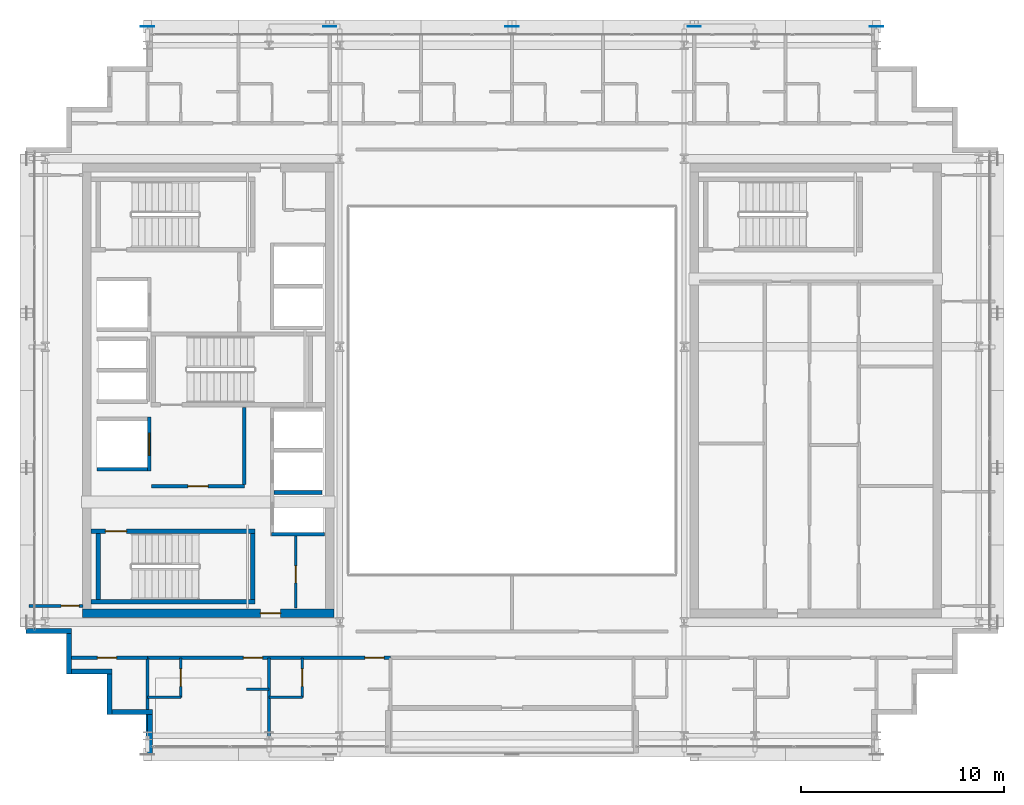
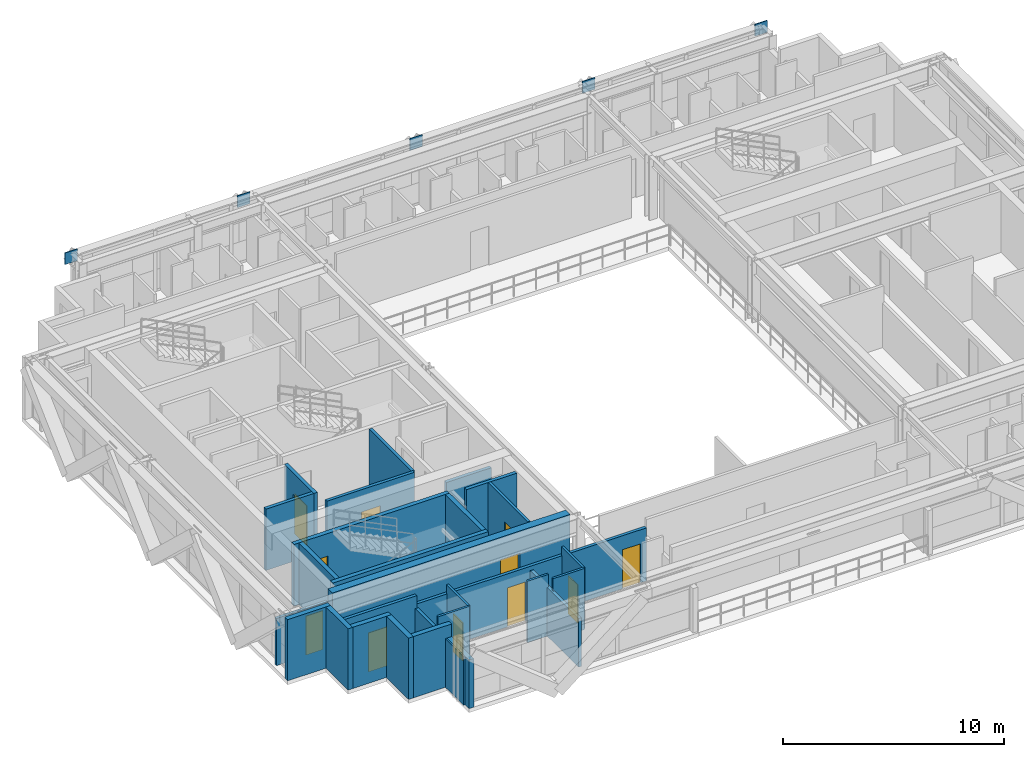
# One storey, part 19 of 28: 28 walls, 11 doors, 5 plates, 11 openings.
"""IFC4 building model written with IfcOpenShell, lengths in metres."""

from ifc_helpers import new_model, si_unit, direction, frame, frame_2d, origin, origin_2d, place, context, subcontext, project, spatial, rectangle, extrude, source, transform, mapped, material, layer, layer_set, type_object, element, fill, save


model = new_model("IFC4")

# Units and contexts
model_context = context("Model", 3, precision=1e-05, world=origin(), true_north=direction((0.0, 1.0)))
body_context = subcontext(model_context, "Body", "Model", "MODEL_VIEW")
ifc_project = project(units=[si_unit("LENGTHUNIT", "METRE"), si_unit("AREAUNIT", "SQUARE_METRE"), si_unit("VOLUMEUNIT", "CUBIC_METRE"), si_unit("PLANEANGLEUNIT", "RADIAN"), si_unit("MASSUNIT", "GRAM", prefix="KILO")], contexts=[model_context])

# Site, building, storey
site_placement = place(None, origin())
site = spatial("IfcSite", under=ifc_project, at=site_placement, CompositionType="ELEMENT")
building_placement = place(site_placement, origin())
building = spatial("IfcBuilding", under=site, at=building_placement, Name="Ocotamira Hotel", CompositionType="ELEMENT")
storey_placement = place(building_placement, frame((0.0, 0.0, 240.0)))
storey = spatial("IfcBuildingStorey", under=building, at=storey_placement, Name="L60", CompositionType="ELEMENT", Elevation=240.0)

# Plates
ifc_material_1 = material(Name="Pale-metal coated steel ASTM A572 Grade 50", Category="steel")
ifc_layer_1 = layer(ifc_material_1, 0.0400390625)
ifc_layer_set_1 = layer_set([ifc_layer_1], Name="Pale-metal coated steel ASTM A572 Grade 50")
plate_type = type_object("IfcPlateType", Name="PLT-GUSSET-40", PredefinedType="SHEET", material=ifc_layer_set_1)
shared_shape_1 = source(origin(), body_context, "Body", "SweptSolid", [
    extrude(rectangle(XDim=0.64990234375, YDim=0.0400390625, at=origin_2d()), origin(), (0.0, 0.0, 1.0), 0.64990234375),
])
for number, where, z_axis, x_axis, name in (
    (1, (14.0, 43.969970703125, 2.804931640625), (0.0, 0.0, 1.0), (-1.0, 0.0, 0.0), "L60 Exoskeleton Diagrid N0.1 End Gusset B"),
    (2, (23.0, 43.969970703125, 2.804931640625), (0.0, 0.0, 1.0), (1.0, 0.0, 0.0), "L60 Exoskeleton Diagrid N0.2 End Gusset B"),
    (3, (32.0, 43.969970703125, 2.804931640625), (0.0, 0.0, 1.0), (1.0, 0.0, 0.0), "L60 Exoskeleton Diagrid N1.2 End Gusset B"),
    (4, (41.0, 43.969970703125, 2.804931640625), (0.0, 0.0, 1.0), (1.0, 0.0, 0.0), "L60 Exoskeleton Diagrid N2.2 End Gusset B"),
    (5, (50.0, 43.969970703125, 2.804931640625), (0.0, 0.0, 1.0), (1.0, 0.0, 0.0), "L60 Exoskeleton Diagrid N3.2 End Gusset B"),
):
    element("IfcPlate", number, at=place(storey_placement, frame(where, z_axis=z_axis, x_axis=x_axis)), inside=storey, type_object=plate_type, Name=name, PredefinedType="SHEET", context=body_context, shape_type="MappedRepresentation", body=[
        mapped(shared_shape_1, transform((0.0, 0.0, 0.0), scale=1.0)),
    ])

# Wall, opening, door
ifc_material_2 = material(Name="Concrete C50/60", Category="concrete")
ifc_layer_2 = layer(ifc_material_2, 0.39990234375)
ifc_layer_set_2 = layer_set([ifc_layer_2], Name="Concrete C50/60")
wall_type_1 = type_object("IfcWallType", Name="WL-CORE-400", PredefinedType="SHEAR", material=ifc_layer_set_2)
wall_1_placement = place(storey_placement, frame((10.800048828125, 15.0, 0.0), z_axis=(0.0, 0.0, 1.0), x_axis=(1.0, 0.0, 0.0)))
wall_1 = element("IfcWall", 6, at=wall_1_placement, inside=storey, type_object=wall_type_1, Name="L60 Shear Core Wall WCORE-S", PredefinedType="SHEAR", context=body_context, shape_type="SweptSolid", body=[
    extrude(rectangle(XDim=12.39990234375, YDim=0.39990234375, at=frame_2d((6.199951171875, 0.0))), origin(), (0.0, 0.0, 1.0), 3.3798828125),
])
opening_1_placement = place(wall_1_placement, frame((8.780029296875, 0.0, 0.0)))
opening_1 = element("IfcOpeningElement", 7, at=opening_1_placement, cuts=wall_1, Name="Opening D-FR2", PredefinedType="OPENING", context=body_context, shape_type="SweptSolid", body=[
    extrude(rectangle(XDim=1.0, YDim=2.14990234375, at=frame_2d((0.5, 1.074951171875))), frame((0.0, 0.2099609375, 0.0), z_axis=(0.0, -1.0, 0.0), x_axis=(1.0, 0.0, 0.0)), (0.0, 0.0, 1.0), 0.419921875),
])
ifc_material_3 = material(Name="Fire-rated acoustic timber-veneer door", Category="wood")
door_type_1 = type_object("IfcDoorType", Name="DR-FIRE-1000", OperationType="NOTDEFINED", PredefinedType="DOOR", material=ifc_material_3)
shared_shape_2 = source(origin(), body_context, "Body", "SweptSolid", [
    extrude(rectangle(XDim=1.0, YDim=2.14990234375, at=frame_2d((0.5, 1.074951171875))), frame((0.0, 0.02490234375, 0.0), z_axis=(0.0, -1.0, 0.0), x_axis=(1.0, 0.0, 0.0)), (0.0, 0.0, 1.0), 0.050048828125),
])
door_1_placement = place(opening_1_placement, origin())
door_1 = element("IfcDoor", 8, at=door_1_placement, inside=storey, type_object=door_type_1, Name="L60 Door ID-L60-WLOB-S-D [ID-L60-WLOB-S-D]", OperationType="SINGLE_SWING_LEFT", OverallHeight=2.14990234375, OverallWidth=1.0, PredefinedType="DOOR", context=body_context, shape_type="MappedRepresentation", body=[
    mapped(shared_shape_2, transform((0.0, 0.0, 0.0), scale=1.0)),
])
fill(opening_1, door_1)

# Walls
ifc_material_4 = material(Name="Precast concrete C45/55", Category="concrete")
ifc_layer_3 = layer(ifc_material_4, 0.25)
ifc_layer_set_3 = layer_set([ifc_layer_3], Name="Precast concrete C45/55")
wall_type_2 = type_object("IfcWallType", Name="WL-EXT-SER-250", PredefinedType="SOLIDWALL", material=ifc_layer_set_3)
wall_2_placement = place(storey_placement, frame((8.0, 14.125, 0.0), z_axis=(0.0, 0.0, 1.0), x_axis=(1.0, 0.0, 0.0)))
element("IfcWall", 9, at=wall_2_placement, inside=storey, type_object=wall_type_2, Name="L60 Serrated Corner Wall 19", PredefinedType="SOLIDWALL", context=body_context, shape_type="SweptSolid", body=[
    extrude(rectangle(XDim=2.25, YDim=0.25, at=frame_2d((1.125, 0.0))), origin(), (0.0, 0.0, 1.0), 3.3798828125),
])
for number, where, z_axis, x_axis, name in (
    (10, (10.125, 14.0, 0.0), (0.0, 0.0, 1.0), (0.0, -1.0, 0.0), "L60 Serrated Corner Wall 20"),
    (11, (10.25, 12.125, 0.0), (0.0, 0.0, 1.0), (1.0, 0.0, 0.0), "L60 Serrated Corner Wall 21"),
    (12, (12.125, 12.0, 0.0), (0.0, 0.0, 1.0), (0.0, -1.0, 0.0), "L60 Serrated Corner Wall 22"),
    (13, (12.25, 10.125, 0.0), (0.0, 0.0, 1.0), (1.0, 0.0, 0.0), "L60 Serrated Corner Wall 23"),
):
    element("IfcWall", number, at=place(storey_placement, frame(where, z_axis=z_axis, x_axis=x_axis)), inside=storey, type_object=wall_type_2, Name=name, PredefinedType="SOLIDWALL", context=body_context, shape_type="SweptSolid", body=[
        extrude(rectangle(XDim=2.0, YDim=0.25, at=frame_2d((1.0, 0.0))), origin(), (0.0, 0.0, 1.0), 3.3798828125),
    ])
wall_3_placement = place(storey_placement, frame((14.125, 10.0, 0.0), z_axis=(0.0, 0.0, 1.0), x_axis=(0.0, -1.0, 0.0)))
element("IfcWall", 14, at=wall_3_placement, inside=storey, type_object=wall_type_2, Name="L60 Serrated Corner Wall 24", PredefinedType="SOLIDWALL", context=body_context, shape_type="SweptSolid", body=[
    extrude(rectangle(XDim=2.0, YDim=0.25, at=frame_2d((1.0, 0.0))), origin(), (0.0, 0.0, 1.0), 2.68701171875),
])

# Wall, opening, door
ifc_material_5 = material(Name="Acoustic double-layer fire gypsum board partition", Category="gypsum")
ifc_layer_4 = layer(ifc_material_5, 0.159912109375)
ifc_layer_set_4 = layer_set([ifc_layer_4], Name="Acoustic double-layer fire gypsum board partition")
wall_type_3 = type_object("IfcWallType", Name="WL-FIRE-160", PredefinedType="PARTITIONING", material=ifc_layer_set_4)
wall_4_placement = place(storey_placement, frame((14.199951171875, 21.27001953125, 0.0), z_axis=(0.0, 0.0, 1.0), x_axis=(1.0, 0.0, 0.0)))
wall_4 = element("IfcWall", 15, at=wall_4_placement, inside=storey, type_object=wall_type_3, Name="L60 Interior Wall PW-L60-FSAE1-S", PredefinedType="PARTITIONING", context=body_context, shape_type="SweptSolid", body=[
    extrude(rectangle(XDim=4.580078125, YDim=0.159912109375, at=frame_2d((2.2900390625, 0.0))), origin(), (0.0, 0.0, 1.0), 3.3798828125),
])
opening_2_placement = place(wall_4_placement, frame((1.800048828125, 0.0, 0.0)))
opening_2 = element("IfcOpeningElement", 16, at=opening_2_placement, cuts=wall_4, Name="Opening D-FR2", PredefinedType="OPENING", context=body_context, shape_type="SweptSolid", body=[
    extrude(rectangle(XDim=1.0, YDim=2.14990234375, at=frame_2d((0.5, 1.074951171875))), frame((0.0, 0.08984375, 0.0), z_axis=(0.0, -1.0, 0.0), x_axis=(1.0, 0.0, 0.0)), (0.0, 0.0, 1.0), 0.179931640625),
])
door_2_placement = place(opening_2_placement, origin())
door_2 = element("IfcDoor", 17, at=door_2_placement, inside=storey, type_object=door_type_1, Name="L60 Door ID-L60-FSAE1-D [ID-L60-FSAE1-D]", OperationType="SINGLE_SWING_LEFT", OverallHeight=2.14990234375, OverallWidth=1.0, PredefinedType="DOOR", context=body_context, shape_type="MappedRepresentation", body=[
    mapped(shared_shape_2, transform((0.0, 0.0, 0.0), scale=1.0)),
])
fill(opening_2, door_2)

# Wall
wall_5_placement = place(storey_placement, frame((18.780029296875, 21.35009765625, 0.0), z_axis=(0.0, 0.0, 1.0), x_axis=(0.0, 1.0, 0.0)))
element("IfcWall", 18, at=wall_5_placement, inside=storey, type_object=wall_type_3, Name="L60 Interior Wall PW-L60-FSAE1-E", PredefinedType="PARTITIONING", context=body_context, shape_type="SweptSolid", body=[
    extrude(rectangle(XDim=3.809814453125, YDim=0.159912109375, at=frame_2d((1.90478515625, 0.0))), origin(), (0.0, 0.0, 1.0), 3.3798828125),
])

# Wall, openings, doors
wall_6_placement = place(storey_placement, frame((14.0, 12.800048828125, 0.0), z_axis=(0.0, 0.0, 1.0), x_axis=(1.0, 0.0, 0.0)))
wall_6 = element("IfcWall", 19, at=wall_6_placement, inside=storey, type_object=wall_type_3, Name="L60 Interior Wall PW-L60-Z4BSW-CORRW", PredefinedType="PARTITIONING", context=body_context, shape_type="SweptSolid", body=[
    extrude(rectangle(XDim=12.0, YDim=0.159912109375, at=frame_2d((6.0, 0.0))), origin(), (0.0, 0.0, 1.0), 2.923095703125),
])
opening_3_placement = place(wall_6_placement, frame((4.739990234375, 0.0, 0.0)))
opening_3 = element("IfcOpeningElement", 20, at=opening_3_placement, cuts=wall_6, Name="Opening D-GR1", PredefinedType="OPENING", context=body_context, shape_type="SweptSolid", body=[
    extrude(rectangle(XDim=0.93994140625, YDim=2.14990234375, at=frame_2d((0.469970703125, 1.074951171875))), frame((0.0, 0.08984375, 0.0), z_axis=(0.0, -1.0, 0.0), x_axis=(1.0, 0.0, 0.0)), (0.0, 0.0, 1.0), 0.179931640625),
])
opening_4_placement = place(wall_6_placement, frame((10.739990234375, 0.0, 0.0)))
opening_4 = element("IfcOpeningElement", 21, at=opening_4_placement, cuts=wall_6, Name="Opening D-GR1", PredefinedType="OPENING", context=body_context, shape_type="SweptSolid", body=[
    extrude(rectangle(XDim=0.93994140625, YDim=2.14990234375, at=frame_2d((0.469970703125, 1.074951171875))), frame((0.0, 0.08984375, 0.0), z_axis=(0.0, -1.0, 0.0), x_axis=(1.0, 0.0, 0.0)), (0.0, 0.0, 1.0), 0.179931640625),
])
ifc_material_6 = material(Name="Solid-core walnut suite entrance fire door", Category="wood")
door_type_2 = type_object("IfcDoorType", Name="DR-GUEST-940", OperationType="NOTDEFINED", PredefinedType="DOOR", material=ifc_material_6)
shared_shape_3 = source(origin(), body_context, "Body", "SweptSolid", [
    extrude(rectangle(XDim=0.93994140625, YDim=2.14990234375, at=frame_2d((0.469970703125, 1.074951171875))), frame((0.0, 0.02490234375, 0.0), z_axis=(0.0, -1.0, 0.0), x_axis=(1.0, 0.0, 0.0)), (0.0, 0.0, 1.0), 0.050048828125),
])
door_3_placement = place(opening_3_placement, origin())
door_3 = element("IfcDoor", 22, at=door_3_placement, inside=storey, type_object=door_type_2, Name="L60 Door ID-L60-Z4BSW-RMD1 [ID-L60-Z4BSW-RMD1]", OperationType="SINGLE_SWING_LEFT", OverallHeight=2.14990234375, OverallWidth=0.93994140625, PredefinedType="DOOR", context=body_context, shape_type="MappedRepresentation", body=[
    mapped(shared_shape_3, transform((0.0, 0.0, 0.0), scale=1.0)),
])
fill(opening_3, door_3)
door_4_placement = place(opening_4_placement, origin())
door_4 = element("IfcDoor", 23, at=door_4_placement, inside=storey, type_object=door_type_2, Name="L60 Door ID-L60-Z4BSW-RMD2 [ID-L60-Z4BSW-RMD2]", OperationType="SINGLE_SWING_RIGHT", OverallHeight=2.14990234375, OverallWidth=0.93994140625, PredefinedType="DOOR", context=body_context, shape_type="MappedRepresentation", body=[
    mapped(shared_shape_3, transform((0.0, 0.0, 0.0), scale=1.0)),
])
fill(opening_4, door_4)

# Wall, opening, door
wall_7_placement = place(storey_placement, frame((10.0, 12.800048828125, 0.0), z_axis=(0.0, 0.0, 1.0), x_axis=(1.0, 0.0, 0.0)))
wall_7 = element("IfcWall", 24, at=wall_7_placement, inside=storey, type_object=wall_type_3, Name="L60 Interior Wall PW-L60-Z4CSW-CW", PredefinedType="PARTITIONING", context=body_context, shape_type="SweptSolid", body=[
    extrude(rectangle(XDim=4.0, YDim=0.159912109375, at=frame_2d((2.0, 0.0))), origin(), (0.0, 0.0, 1.0), 3.3798828125),
])
opening_5_placement = place(wall_7_placement, frame((1.52001953125, 0.0, 0.0)))
opening_5 = element("IfcOpeningElement", 25, at=opening_5_placement, cuts=wall_7, Name="Opening D-SV4", PredefinedType="OPENING", context=body_context, shape_type="SweptSolid", body=[
    extrude(rectangle(XDim=0.9599609375, YDim=2.14990234375, at=frame_2d((0.47998046875, 1.074951171875))), frame((0.0, 0.08984375, 0.0), z_axis=(0.0, -1.0, 0.0), x_axis=(1.0, 0.0, 0.0)), (0.0, 0.0, 1.0), 0.179931640625),
])
ifc_material_7 = material(Name="Fire-rated accessible walnut salon door", Category="wood")
door_type_3 = type_object("IfcDoorType", Name="DR-SERV-960", OperationType="NOTDEFINED", PredefinedType="DOOR", material=ifc_material_7)
shared_shape_4 = source(origin(), body_context, "Body", "SweptSolid", [
    extrude(rectangle(XDim=0.9599609375, YDim=2.14990234375, at=frame_2d((0.47998046875, 1.074951171875))), frame((0.0, 0.02490234375, 0.0), z_axis=(0.0, -1.0, 0.0), x_axis=(1.0, 0.0, 0.0)), (0.0, 0.0, 1.0), 0.050048828125),
])
door_5_placement = place(opening_5_placement, origin())
door_5 = element("IfcDoor", 26, at=door_5_placement, inside=storey, type_object=door_type_3, Name="L60 Door ID-L60-Z4CSW-CD [ID-L60-Z4CSW-CD]", OperationType="SINGLE_SWING_LEFT", OverallHeight=2.14990234375, OverallWidth=0.9599609375, PredefinedType="DOOR", context=body_context, shape_type="MappedRepresentation", body=[
    mapped(shared_shape_4, transform((0.0, 0.0, 0.0), scale=1.0)),
])
fill(opening_5, door_5)

ifc_material_8 = material(Name="Moisture-resistant en-suite tile and gypsum partition", Category="gypsum")
ifc_layer_5 = layer(ifc_material_8, 0.1201171875)
ifc_layer_set_5 = layer_set([ifc_layer_5], Name="Moisture-resistant en-suite tile and gypsum partition")
wall_type_4 = type_object("IfcWallType", Name="WL-PART-120", PredefinedType="PARTITIONING", material=ifc_layer_set_5)
wall_8_placement = place(storey_placement, frame((15.64990234375, 10.85009765625, 0.0), z_axis=(0.0, 0.0, 1.0), x_axis=(0.0, 1.0, 0.0)))
wall_8 = element("IfcWall", 27, at=wall_8_placement, inside=storey, type_object=wall_type_4, Name="L60 Interior Wall PW-L60-Z4BSW-BAE1", PredefinedType="PARTITIONING", context=body_context, shape_type="SweptSolid", body=[
    extrude(rectangle(XDim=1.949951171875, YDim=0.1201171875, at=frame_2d((0.97509765625, 0.0))), origin(), (0.0, 0.0, 1.0), 3.3798828125),
])
opening_6_placement = place(wall_8_placement, frame((0.544921875, 0.0, 0.0)))
opening_6 = element("IfcOpeningElement", 28, at=opening_6_placement, cuts=wall_8, Name="Opening D-BA1", PredefinedType="OPENING", context=body_context, shape_type="SweptSolid", body=[
    extrude(rectangle(XDim=0.860107421875, YDim=2.10009765625, at=frame_2d((0.43017578125, 1.050048828125))), frame((0.0, 0.070068359375, 0.0), z_axis=(0.0, -1.0, 0.0), x_axis=(1.0, 0.0, 0.0)), (0.0, 0.0, 1.0), 0.14013671875),
])
ifc_material_9 = material(Name="Moisture-sealed en-suite timber door", Category="wood")
door_type_4 = type_object("IfcDoorType", Name="DR-BATH-860", OperationType="NOTDEFINED", PredefinedType="DOOR", material=ifc_material_9)
shared_shape_5 = source(origin(), body_context, "Body", "SweptSolid", [
    extrude(rectangle(XDim=0.860107421875, YDim=2.10009765625, at=frame_2d((0.43017578125, 1.050048828125))), frame((0.0, 0.02490234375, 0.0), z_axis=(0.0, -1.0, 0.0), x_axis=(1.0, 0.0, 0.0)), (0.0, 0.0, 1.0), 0.050048828125),
])
door_6_placement = place(opening_6_placement, origin())
door_6 = element("IfcDoor", 29, at=door_6_placement, inside=storey, type_object=door_type_4, Name="L60 Door ID-L60-Z4BSW-BAD1 [ID-L60-Z4BSW-BAD1]", OperationType="SINGLE_SWING_RIGHT", OverallHeight=2.10009765625, OverallWidth=0.860107421875, PredefinedType="DOOR", context=body_context, shape_type="MappedRepresentation", body=[
    mapped(shared_shape_5, transform((0.0, 0.0, 0.0), scale=1.0)),
])
fill(opening_6, door_6)

# Walls
wall_9_placement = place(storey_placement, frame((14.0, 10.85009765625, 0.0), z_axis=(0.0, 0.0, 1.0), x_axis=(1.0, 0.0, 0.0)))
element("IfcWall", 30, at=wall_9_placement, inside=storey, type_object=wall_type_4, Name="L60 Interior Wall PW-L60-Z4BSW-BAS1", PredefinedType="PARTITIONING", context=body_context, shape_type="SweptSolid", body=[
    extrude(rectangle(XDim=1.64990234375, YDim=0.1201171875, at=frame_2d((0.824951171875, 0.0))), origin(), (0.0, 0.0, 1.0), 3.3798828125),
])
wall_10_placement = place(storey_placement, frame((18.89990234375, 11.25, 0.0), z_axis=(0.0, 0.0, 1.0), x_axis=(1.0, 0.0, 0.0)))
element("IfcWall", 31, at=wall_10_placement, inside=storey, type_object=wall_type_4, Name="L60 Interior Wall PW-L60-Z4BSW-DRN1", PredefinedType="PARTITIONING", context=body_context, shape_type="SweptSolid", body=[
    extrude(rectangle(XDim=1.10009765625, YDim=0.1201171875, at=frame_2d((0.550048828125, 0.0))), origin(), (0.0, 0.0, 1.0), 3.3798828125),
])

# Wall, opening, door
wall_11_placement = place(storey_placement, frame((21.64990234375, 10.85009765625, 0.0), z_axis=(0.0, 0.0, 1.0), x_axis=(0.0, 1.0, 0.0)))
wall_11 = element("IfcWall", 32, at=wall_11_placement, inside=storey, type_object=wall_type_4, Name="L60 Interior Wall PW-L60-Z4BSW-BAE2", PredefinedType="PARTITIONING", context=body_context, shape_type="SweptSolid", body=[
    extrude(rectangle(XDim=1.949951171875, YDim=0.1201171875, at=frame_2d((0.97509765625, 0.0))), origin(), (0.0, 0.0, 1.0), 3.3798828125),
])
opening_7_placement = place(wall_11_placement, frame((0.544921875, 0.0, 0.0)))
opening_7 = element("IfcOpeningElement", 33, at=opening_7_placement, cuts=wall_11, Name="Opening D-BA1", PredefinedType="OPENING", context=body_context, shape_type="SweptSolid", body=[
    extrude(rectangle(XDim=0.860107421875, YDim=2.10009765625, at=frame_2d((0.43017578125, 1.050048828125))), frame((0.0, 0.070068359375, 0.0), z_axis=(0.0, -1.0, 0.0), x_axis=(1.0, 0.0, 0.0)), (0.0, 0.0, 1.0), 0.14013671875),
])
door_7_placement = place(opening_7_placement, origin())
door_7 = element("IfcDoor", 34, at=door_7_placement, inside=storey, type_object=door_type_4, Name="L60 Door ID-L60-Z4BSW-BAD2 [ID-L60-Z4BSW-BAD2]", OperationType="SINGLE_SWING_LEFT", OverallHeight=2.10009765625, OverallWidth=0.860107421875, PredefinedType="DOOR", context=body_context, shape_type="MappedRepresentation", body=[
    mapped(shared_shape_5, transform((0.0, 0.0, 0.0), scale=1.0)),
])
fill(opening_7, door_7)

# Wall
wall_12_placement = place(storey_placement, frame((20.0, 10.85009765625, 0.0), z_axis=(0.0, 0.0, 1.0), x_axis=(1.0, 0.0, 0.0)))
element("IfcWall", 35, at=wall_12_placement, inside=storey, type_object=wall_type_4, Name="L60 Interior Wall PW-L60-Z4BSW-BAS2", PredefinedType="PARTITIONING", context=body_context, shape_type="SweptSolid", body=[
    extrude(rectangle(XDim=1.64990234375, YDim=0.1201171875, at=frame_2d((0.824951171875, 0.0))), origin(), (0.0, 0.0, 1.0), 3.3798828125),
])

# Wall, opening, door
ifc_material_10 = material(Name="Acoustic hospitality gypsum board partition", Category="gypsum")
ifc_layer_6 = layer(ifc_material_10, 0.14208984375)
ifc_layer_set_6 = layer_set([ifc_layer_6], Name="Acoustic hospitality gypsum board partition")
wall_type_5 = type_object("IfcWallType", Name="WL-PART-142", PredefinedType="PARTITIONING", material=ifc_layer_set_6)
wall_13_placement = place(storey_placement, frame((21.320068359375, 15.25, 0.0), z_axis=(0.0, 0.0, 1.0), x_axis=(0.0, 1.0, 0.0)))
wall_13 = element("IfcWall", 36, at=wall_13_placement, inside=storey, type_object=wall_type_5, Name="L60 Interior Wall PW-L60-WC-SE-W", PredefinedType="PARTITIONING", context=body_context, shape_type="SweptSolid", body=[
    extrude(rectangle(XDim=3.590087890625, YDim=0.14208984375, at=frame_2d((1.794921875, 0.0))), origin(), (0.0, 0.0, 1.0), 3.3798828125),
])
opening_8_placement = place(wall_13_placement, frame((1.25, 0.0, 0.0)))
opening_8 = element("IfcOpeningElement", 37, at=opening_8_placement, cuts=wall_13, Name="Opening D-SV1", PredefinedType="OPENING", context=body_context, shape_type="SweptSolid", body=[
    extrude(rectangle(XDim=0.840087890625, YDim=2.10009765625, at=frame_2d((0.419921875, 1.050048828125))), frame((0.0, 0.0810546875, 0.0), z_axis=(0.0, -1.0, 0.0), x_axis=(1.0, 0.0, 0.0)), (0.0, 0.0, 1.0), 0.162109375),
])
ifc_material_11 = material(Name="Fire-rated painted steel service door", Category="steel")
door_type_5 = type_object("IfcDoorType", Name="DR-SERV-840", OperationType="NOTDEFINED", PredefinedType="DOOR", material=ifc_material_11)
shared_shape_6 = source(origin(), body_context, "Body", "SweptSolid", [
    extrude(rectangle(XDim=0.840087890625, YDim=2.10009765625, at=frame_2d((0.419921875, 1.050048828125))), frame((0.0, 0.02490234375, 0.0), z_axis=(0.0, -1.0, 0.0), x_axis=(1.0, 0.0, 0.0)), (0.0, 0.0, 1.0), 0.050048828125),
])
door_8_placement = place(opening_8_placement, origin())
door_8 = element("IfcDoor", 38, at=door_8_placement, inside=storey, type_object=door_type_5, Name="L60 Door ID-L60-WC-SE-D [ID-L60-WC-SE-D]", OperationType="SINGLE_SWING_RIGHT", OverallHeight=2.10009765625, OverallWidth=0.840087890625, PredefinedType="DOOR", context=body_context, shape_type="MappedRepresentation", body=[
    mapped(shared_shape_6, transform((0.0, 0.0, 0.0), scale=1.0)),
])
fill(opening_8, door_8)

ifc_layer_7 = layer(ifc_material_10, 0.14990234375)
ifc_layer_set_7 = layer_set([ifc_layer_7], Name="Acoustic hospitality gypsum board partition")
wall_type_6 = type_object("IfcWallType", Name="WL-PART-150", PredefinedType="PARTITIONING", material=ifc_layer_set_7)
wall_14_placement = place(storey_placement, frame((8.159912109375, 15.360107421875, 0.0), z_axis=(0.0, 0.0, 1.0), x_axis=(1.0, 0.0, 0.0)))
wall_14 = element("IfcWall", 39, at=wall_14_placement, inside=storey, type_object=wall_type_6, Name="L60 Interior Wall PW-L60-Z4BW-WS", PredefinedType="PARTITIONING", context=body_context, shape_type="SweptSolid", body=[
    extrude(rectangle(XDim=2.66015625, YDim=0.14990234375, at=frame_2d((1.330078125, 0.0))), origin(), (0.0, 0.0, 1.0), 2.60107421875),
])
opening_9_placement = place(wall_14_placement, frame((1.580078125, 0.0, 0.0)))
opening_9 = element("IfcOpeningElement", 40, at=opening_9_placement, cuts=wall_14, Name="Opening D-SV2", PredefinedType="OPENING", context=body_context, shape_type="SweptSolid", body=[
    extrude(rectangle(XDim=0.8798828125, YDim=2.14990234375, at=frame_2d((0.43994140625, 1.074951171875))), frame((0.0, 0.0849609375, 0.0), z_axis=(0.0, -1.0, 0.0), x_axis=(1.0, 0.0, 0.0)), (0.0, 0.0, 1.0), 0.169921875),
])
door_type_6 = type_object("IfcDoorType", Name="DR-SERV-880", OperationType="NOTDEFINED", PredefinedType="DOOR", material=ifc_material_11)
shared_shape_7 = source(origin(), body_context, "Body", "SweptSolid", [
    extrude(rectangle(XDim=0.8798828125, YDim=2.14990234375, at=frame_2d((0.43994140625, 1.074951171875))), frame((0.0, 0.02490234375, 0.0), z_axis=(0.0, -1.0, 0.0), x_axis=(1.0, 0.0, 0.0)), (0.0, 0.0, 1.0), 0.050048828125),
])
door_9_placement = place(opening_9_placement, origin())
door_9 = element("IfcDoor", 41, at=door_9_placement, inside=storey, type_object=door_type_6, Name="L60 Door ID-L60-Z4BW-DS [ID-L60-Z4BW-DS]", OperationType="SINGLE_SWING_LEFT", OverallHeight=2.14990234375, OverallWidth=0.8798828125, PredefinedType="DOOR", context=body_context, shape_type="MappedRepresentation", body=[
    mapped(shared_shape_7, transform((0.0, 0.0, 0.0), scale=1.0)),
])
fill(opening_9, door_9)

# Walls
ifc_material_12 = material(Name="Acoustic double-stud hospitality gypsum partition", Category="gypsum")
ifc_layer_8 = layer(ifc_material_12, 0.159912109375)
ifc_layer_set_8 = layer_set([ifc_layer_8], Name="Acoustic double-stud hospitality gypsum partition")
wall_type_7 = type_object("IfcWallType", Name="WL-PART-160", PredefinedType="PARTITIONING", material=ifc_layer_set_8)
for number, where, z_axis, x_axis, name in (
    (42, (14.0, 8.360107421875, 0.0), (0.0, 0.0, 1.0), (0.0, 1.0, 0.0), "L60 Interior Wall PW-L60-Z4BSW-PW0"),
    (43, (20.0, 8.360107421875, 0.0), (0.0, 0.0, 1.0), (0.0, 1.0, 0.0), "L60 Interior Wall PW-L60-Z4BSW-PW1"),
):
    element("IfcWall", number, at=place(storey_placement, frame(where, z_axis=z_axis, x_axis=x_axis)), inside=storey, type_object=wall_type_7, Name=name, PredefinedType="PARTITIONING", context=body_context, shape_type="SweptSolid", body=[
        extrude(rectangle(XDim=4.43994140625, YDim=0.159912109375, at=frame_2d((2.219970703125, 0.0))), origin(), (0.0, 0.0, 1.0), 2.68701171875),
    ])
ifc_material_13 = material(Name="Fire-rated gypsum shaftliner board assembly", Category="gypsum")
ifc_layer_9 = layer(ifc_material_13, 0.179931640625)
ifc_layer_set_9 = layer_set([ifc_layer_9], Name="Fire-rated gypsum shaftliner board assembly")
wall_type_8 = type_object("IfcWallType", Name="WL-SHAFT-180", PredefinedType="SOLIDWALL", material=ifc_layer_set_9)
wall_15_placement = place(storey_placement, frame((20.1201171875, 18.909912109375, 0.0), z_axis=(0.0, 0.0, 1.0), x_axis=(1.0, 0.0, 0.0)))
element("IfcWall", 44, at=wall_15_placement, inside=storey, type_object=wall_type_8, Name="L60 Interior Wall PW-L60-LFW-BANK-high-S", PredefinedType="SOLIDWALL", context=body_context, shape_type="SweptSolid", body=[
    extrude(rectangle(XDim=2.6298828125, YDim=0.179931640625, at=frame_2d((1.31494140625, 0.0))), origin(), (0.0, 0.0, 1.0), 3.3798828125),
])
wall_16_placement = place(storey_placement, frame((20.25, 20.965087890625, 0.0), z_axis=(0.0, 0.0, 1.0), x_axis=(1.0, 0.0, 0.0)))
element("IfcWall", 45, at=wall_16_placement, inside=storey, type_object=wall_type_8, Name="L60 Interior Wall PW-L60-LFW-DIV-LF-P7", PredefinedType="SOLIDWALL", context=body_context, shape_type="SweptSolid", body=[
    extrude(rectangle(XDim=2.360107421875, YDim=0.179931640625, at=frame_2d((1.18017578125, 0.0))), origin(), (0.0, 0.0, 1.0), 2.47998046875),
])
wall_17_placement = place(storey_placement, frame((11.5, 22.110107421875, 0.0), z_axis=(0.0, 0.0, 1.0), x_axis=(1.0, 0.0, 0.0)))
element("IfcWall", 46, at=wall_17_placement, inside=storey, type_object=wall_type_8, Name="L60 Interior Wall PW-L60-LFW-LF-FSAE1-S", PredefinedType="SOLIDWALL", context=body_context, shape_type="SweptSolid", body=[
    extrude(rectangle(XDim=2.5, YDim=0.179931640625, at=frame_2d((1.25, 0.0))), origin(), (0.0, 0.0, 1.0), 3.3798828125),
])

# Wall, opening, door
wall_18_placement = place(storey_placement, frame((14.090087890625, 22.02001953125, 0.0), z_axis=(0.0, 0.0, 1.0), x_axis=(0.0, 1.0, 0.0)))
wall_18 = element("IfcWall", 47, at=wall_18_placement, inside=storey, type_object=wall_type_8, Name="L60 Interior Wall PW-L60-LFW-LF-FSAE1-E", PredefinedType="SOLIDWALL", context=body_context, shape_type="SweptSolid", body=[
    extrude(rectangle(XDim=2.659912109375, YDim=0.179931640625, at=frame_2d((1.330078125, 0.0))), origin(), (0.0, 0.0, 1.0), 3.3798828125),
])
opening_10_placement = place(wall_18_placement, frame((0.780029296875, 0.0, 0.0)))
opening_10 = element("IfcOpeningElement", 48, at=opening_10_placement, cuts=wall_18, Name="Opening LD-LF-FSAE1", PredefinedType="OPENING", context=body_context, shape_type="SweptSolid", body=[
    extrude(rectangle(XDim=1.10009765625, YDim=2.199951171875, at=frame_2d((0.550048828125, 1.10009765625))), frame((0.0, 0.10009765625, 0.0), z_axis=(0.0, -1.0, 0.0), x_axis=(1.0, 0.0, 0.0)), (0.0, 0.0, 1.0), 0.199951171875),
])
ifc_material_14 = material(Name="Brushed pale-metal stainless elevator landing door", Category="steel")
door_type_7 = type_object("IfcDoorType", Name="DR-LIFT-1100", OperationType="NOTDEFINED", PredefinedType="DOOR", material=ifc_material_14)
shared_shape_8 = source(origin(), body_context, "Body", "SweptSolid", [
    extrude(rectangle(XDim=1.10009765625, YDim=2.199951171875, at=frame_2d((0.550048828125, 1.10009765625))), frame((0.0, 0.02490234375, 0.0), z_axis=(0.0, -1.0, 0.0), x_axis=(1.0, 0.0, 0.0)), (0.0, 0.0, 1.0), 0.050048828125),
])
door_10_placement = place(opening_10_placement, origin())
door_10 = element("IfcDoor", 49, at=door_10_placement, inside=storey, type_object=door_type_7, Name="L60 Landing Door LD-LF-FSAE1 [ID-L60-LD-LF-FSAE1]", OperationType="DOUBLE_DOOR_SLIDING", OverallHeight=2.199951171875, OverallWidth=1.10009765625, PredefinedType="DOOR", context=body_context, shape_type="MappedRepresentation", body=[
    mapped(shared_shape_8, transform((0.0, 0.0, 0.0), scale=1.0)),
])
fill(opening_10, door_10)

# Wall
ifc_layer_10 = layer(ifc_material_2, 0.219970703125)
ifc_layer_set_10 = layer_set([ifc_layer_10], Name="Concrete C50/60")
wall_type_9 = type_object("IfcWallType", Name="WL-STAIR-220", PredefinedType="SHEAR", material=ifc_layer_set_10)
wall_19_placement = place(storey_placement, frame((11.199951171875, 15.56005859375, 0.0), z_axis=(0.0, 0.0, 1.0), x_axis=(1.0, 0.0, 0.0)))
element("IfcWall", 50, at=wall_19_placement, inside=storey, type_object=wall_type_9, Name="L60 Stair Shaft Structural Wall ST-1-S", PredefinedType="SHEAR", context=body_context, shape_type="SweptSolid", body=[
    extrude(rectangle(XDim=8.110107421875, YDim=0.219970703125, at=frame_2d((4.05517578125, 0.0))), origin(), (0.0, 0.0, 1.0), 3.39990234375),
])

# Wall, opening, door
wall_20_placement = place(storey_placement, frame((11.199951171875, 19.06005859375, 0.0), z_axis=(0.0, 0.0, 1.0), x_axis=(1.0, 0.0, 0.0)))
wall_20 = element("IfcWall", 51, at=wall_20_placement, inside=storey, type_object=wall_type_9, Name="L60 Stair Shaft Structural Wall ST-1-N", PredefinedType="SHEAR", context=body_context, shape_type="SweptSolid", body=[
    extrude(rectangle(XDim=8.110107421875, YDim=0.219970703125, at=frame_2d((4.05517578125, 0.0))), origin(), (0.0, 0.0, 1.0), 3.39990234375),
])
opening_11_placement = place(wall_20_placement, frame((0.719970703125, 0.0, 0.0)))
opening_11 = element("IfcOpeningElement", 52, at=opening_11_placement, cuts=wall_20, Name="Opening D-ST2", PredefinedType="OPENING", context=body_context, shape_type="SweptSolid", body=[
    extrude(rectangle(XDim=1.050048828125, YDim=2.14990234375, at=frame_2d((0.52490234375, 1.074951171875))), frame((0.0, 0.1201171875, 0.0), z_axis=(0.0, -1.0, 0.0), x_axis=(1.0, 0.0, 0.0)), (0.0, 0.0, 1.0), 0.239990234375),
])
ifc_material_15 = material(Name="Insulated painted hollow-metal fire exit door", Category="steel")
door_type_8 = type_object("IfcDoorType", Name="DR-STAIR-1050", OperationType="NOTDEFINED", PredefinedType="DOOR", material=ifc_material_15)
shared_shape_9 = source(origin(), body_context, "Body", "SweptSolid", [
    extrude(rectangle(XDim=1.050048828125, YDim=2.14990234375, at=frame_2d((0.52490234375, 1.074951171875))), frame((0.0, 0.02490234375, 0.0), z_axis=(0.0, -1.0, 0.0), x_axis=(1.0, 0.0, 0.0)), (0.0, 0.0, 1.0), 0.050048828125),
])
door_11_placement = place(opening_11_placement, origin())
door_11 = element("IfcDoor", 53, at=door_11_placement, inside=storey, type_object=door_type_8, Name="L60 Door ID-L60-STD-ST-1 [ID-L60-STD-ST-1]", OperationType="SINGLE_SWING_LEFT", OverallHeight=2.14990234375, OverallWidth=1.050048828125, PredefinedType="DOOR", context=body_context, shape_type="MappedRepresentation", body=[
    mapped(shared_shape_9, transform((0.0, 0.0, 0.0), scale=1.0)),
])
fill(opening_11, door_11)

# Walls
for number, where, z_axis, x_axis, name in (
    (54, (11.56005859375, 15.669921875, 0.0), (0.0, 0.0, 1.0), (0.0, 1.0, 0.0), "L60 Stair Shaft Structural Wall ST-1-W"),
    (55, (19.199951171875, 15.669921875, 0.0), (0.0, 0.0, 1.0), (0.0, 1.0, 0.0), "L60 Stair Shaft Structural Wall ST-1-E"),
):
    element("IfcWall", number, at=place(storey_placement, frame(where, z_axis=z_axis, x_axis=x_axis)), inside=storey, type_object=wall_type_9, Name=name, PredefinedType="SHEAR", context=body_context, shape_type="SweptSolid", body=[
        extrude(rectangle(XDim=3.280029296875, YDim=0.219970703125, at=frame_2d((1.64013671875, 0.0))), origin(), (0.0, 0.0, 1.0), 3.39990234375),
    ])

save(model, "model.ifc")
